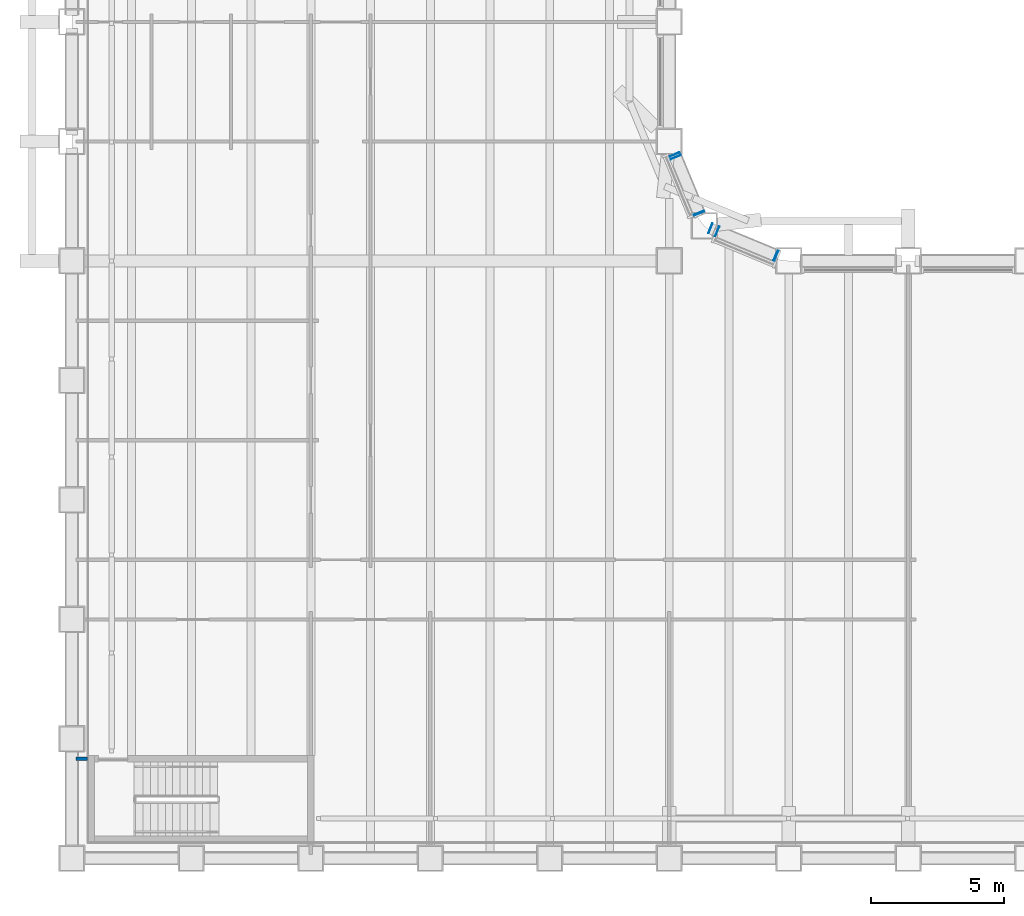
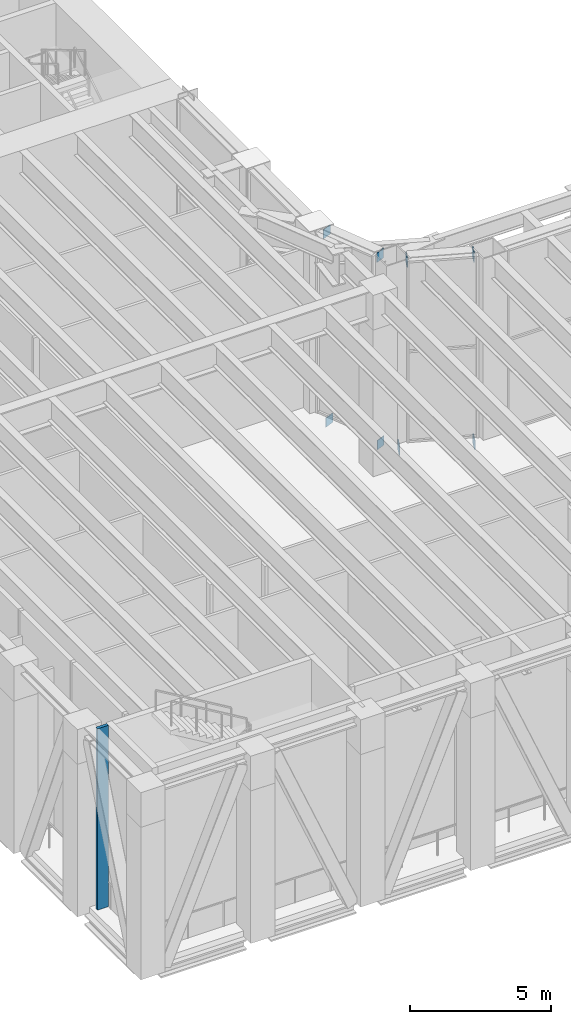
# One storey, part 8 of 21: 8 plates, 1 wall.
"""IFC4 building model written with IfcOpenShell, lengths in metres."""

from ifc_helpers import new_model, si_unit, direction, frame, frame_2d, origin, origin_2d, place, context, subcontext, project, spatial, rectangle, extrude, material, layer, layer_set, type_object, element, save


model = new_model("IFC4")

# Units and contexts
model_context = context("Model", 3, precision=1e-05, world=origin(), true_north=direction((0.0, 1.0)))
body_context = subcontext(model_context, "Body", "Model", "MODEL_VIEW")
ifc_project = project(units=[si_unit("LENGTHUNIT", "METRE"), si_unit("AREAUNIT", "SQUARE_METRE"), si_unit("VOLUMEUNIT", "CUBIC_METRE"), si_unit("PLANEANGLEUNIT", "RADIAN"), si_unit("MASSUNIT", "GRAM", prefix="KILO")], contexts=[model_context])

# Site, building, storey
site_placement = place(None, origin())
site = spatial("IfcSite", under=ifc_project, at=site_placement, CompositionType="ELEMENT")
building_placement = place(site_placement, origin())
building = spatial("IfcBuilding", under=site, at=building_placement, Name="Sennacour Bend Tower", CompositionType="ELEMENT")
storey_placement = place(building_placement, frame((0.0, 0.0, 131.0)))
storey = spatial("IfcBuildingStorey", under=building, at=storey_placement, Name="L30", CompositionType="ELEMENT", Elevation=131.0)

# Plates
ifc_material_1 = material(Name="Steel ASTM A572 Grade 50", Category="steel")
ifc_layer_1 = layer(ifc_material_1, 0.02490234375, Name="Steel ASTM A572 Grade 50", Category="steel")
ifc_layer_set_1 = layer_set([ifc_layer_1], Name="Steel ASTM A572 Grade 50")
plate_type = type_object("IfcPlateType", Name="Connection end plate 25", PredefinedType="USERDEFINED", material=ifc_layer_set_1)
for number, where, z_axis, x_axis, name in (
    (1, (22.7451171875, 26.407958984375, -0.677490234375), (0.0, 0.0, 1.0), (-0.382683432365, 0.923879532511, 0.0), "Connection end plate CEP 25"),
    (2, (23.62353515625, 24.287841796875, -0.677490234375), (0.0, 0.0, 1.0), (0.382683432365, -0.923879532511, 0.0), "Connection end plate CEP 25"),
    (3, (24.047119140625, 23.72314453125, -0.677490234375), (0.0, 0.0, 1.0), (-0.923879532511, 0.382683432365, 0.0), "Connection end plate CEP 25"),
    (4, (26.5302734375, 22.694580078125, -0.677490234375), (0.0, 0.0, 1.0), (0.923879532511, -0.382683432365, 0.0), "Connection end plate CEP 25"),
    (5, (22.702392578125, 26.511474609375, 7.422607421875), (0.0, 0.0, 1.0), (-0.382683432365, 0.923879532511, 0.0), "Connection end plate CEP 25"),
    (6, (23.61572265625, 24.306396484375, 7.422607421875), (0.0, 0.0, 1.0), (0.382683432365, -0.923879532511, 0.0), "Connection end plate CEP 25"),
    (7, (24.306396484375, 23.61572265625, 7.422607421875), (0.0, 0.0, 1.0), (-0.923879532511, 0.382683432365, 0.0), "Connection end plate CEP 25"),
    (8, (26.511474609375, 22.702392578125, 7.422607421875), (0.0, 0.0, 1.0), (0.923879532511, -0.382683432365, 0.0), "Connection end plate CEP 25"),
):
    element("IfcPlate", number, at=place(storey_placement, frame(where, z_axis=z_axis, x_axis=x_axis)), inside=storey, type_object=plate_type, Name=name, ObjectType="END PLATE", PredefinedType="USERDEFINED", context=body_context, shape_type="SweptSolid", body=[
        extrude(rectangle(XDim=0.02490234375, YDim=0.39990234375, at=origin_2d()), origin(), (0.0, 0.0, 1.0), 0.39990234375),
    ])

# Wall
ifc_material_2 = material(Name="Plasterboard partition on steel studs", Category="steel")
ifc_layer_2 = layer(ifc_material_2, 0.1201171875, Name="Plasterboard partition on steel studs", Category="steel")
ifc_layer_set_2 = layer_set([ifc_layer_2], Name="Plasterboard partition on steel studs")
wall_type = type_object("IfcWallType", Name="Partition 120", PredefinedType="PARTITIONING", material=ifc_layer_set_2)
wall_placement = place(storey_placement, frame((0.14990234375, 3.75, 0.0), z_axis=(0.0, 0.0, 1.0), x_axis=(1.0, 0.0, 0.0)))
element("IfcWall", 9, at=wall_placement, inside=storey, type_object=wall_type, Name="P-L30-W043a", PredefinedType="PARTITIONING", context=body_context, shape_type="SweptSolid", body=[
    extrude(rectangle(XDim=0.4501953125, YDim=0.1201171875, at=frame_2d((0.22509765625, 0.0))), origin(), (0.0, 0.0, 1.0), 7.85009765625),
])

save(model, "model.ifc")
